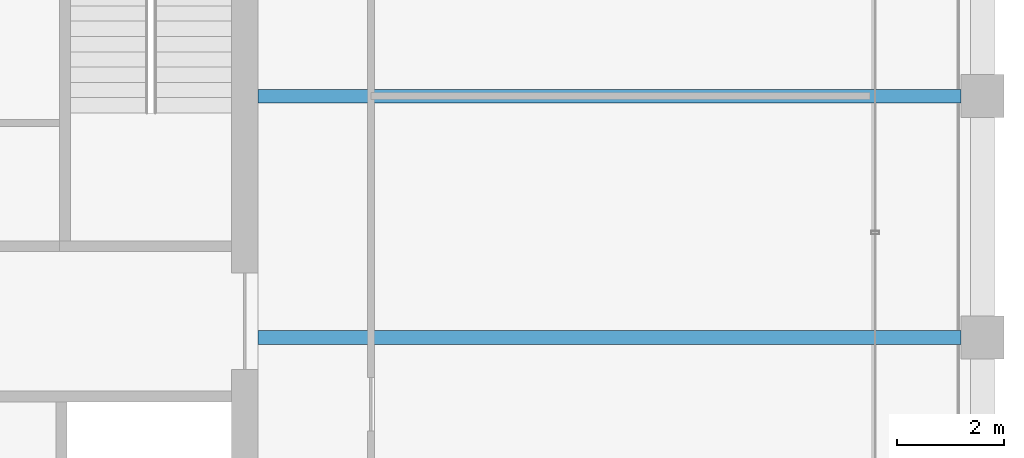
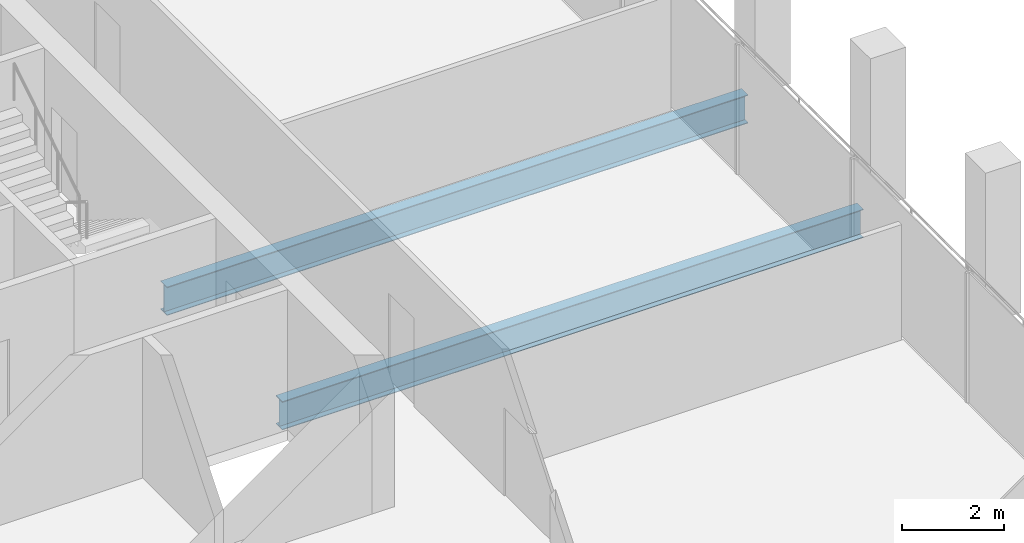
# One storey, part 16 of 30: 2 beams.
"""IFC4 building model written with IfcOpenShell, lengths in metres."""

from ifc_helpers import new_model, si_unit, direction, frame, origin, origin_2d, place, context, subcontext, project, spatial, i_section, extrude, material, material_profile, profile_set, type_object, element, save


model = new_model("IFC4")

# Units and contexts
model_context = context("Model", 3, precision=1e-05, world=origin(), true_north=direction((0.0, 1.0)))
body_context = subcontext(model_context, "Body", "Model", "MODEL_VIEW")
ifc_project = project(units=[si_unit("LENGTHUNIT", "METRE"), si_unit("AREAUNIT", "SQUARE_METRE"), si_unit("VOLUMEUNIT", "CUBIC_METRE"), si_unit("PLANEANGLEUNIT", "RADIAN"), si_unit("MASSUNIT", "GRAM", prefix="KILO")], contexts=[model_context])

# Site, building, storey
site_placement = place(None, origin())
site = spatial("IfcSite", under=ifc_project, at=site_placement, CompositionType="ELEMENT")
building_placement = place(site_placement, origin())
building = spatial("IfcBuilding", under=site, at=building_placement, Name="Altepetl Exchange Towers", CompositionType="ELEMENT")
storey_placement = place(building_placement, frame((0.0, 0.0, 235.199951171875)))
storey = spatial("IfcBuildingStorey", under=building, at=storey_placement, Name="L60", CompositionType="ELEMENT", Elevation=235.199951171875)

# Beams
ifc_material = material(Name="Steel S355", Category="steel")
ifc_material_profile = material_profile(ifc_material, i_section(OverallWidth=0.2529296875, OverallDepth=0.677978515625, WebThickness=0.01171875, FlangeThickness=0.016357421875, at=origin_2d()), Name="W27X84")
ifc_profile_set = profile_set([ifc_material_profile], Name="Steel S355")
beam_type = type_object("IfcBeamType", Name="Floor beam W27X84", PredefinedType="BEAM", material=ifc_profile_set)
for number, where, z_axis, x_axis, name in (
    (1, (58.5, 45.0, -0.489013671875), (1.0, 0.0, 0.0), (0.0, 1.0, 0.0), "bm:A:L60:009"),
    (2, (58.5, 49.5, -0.489013671875), (1.0, 0.0, 0.0), (0.0, 1.0, 0.0), "bm:A:L60:010"),
):
    element("IfcBeam", number, at=place(storey_placement, frame(where, z_axis=z_axis, x_axis=x_axis)), inside=storey, type_object=beam_type, Name=name, PredefinedType="BEAM", context=body_context, shape_type="SweptSolid", body=[
        extrude(i_section(OverallWidth=0.2529296875, OverallDepth=0.677978515625, WebThickness=0.01171875, FlangeThickness=0.016357421875, at=origin_2d()), origin(), (0.0, 0.0, 1.0), 13.10009765625),
    ])

save(model, "model.ifc")
